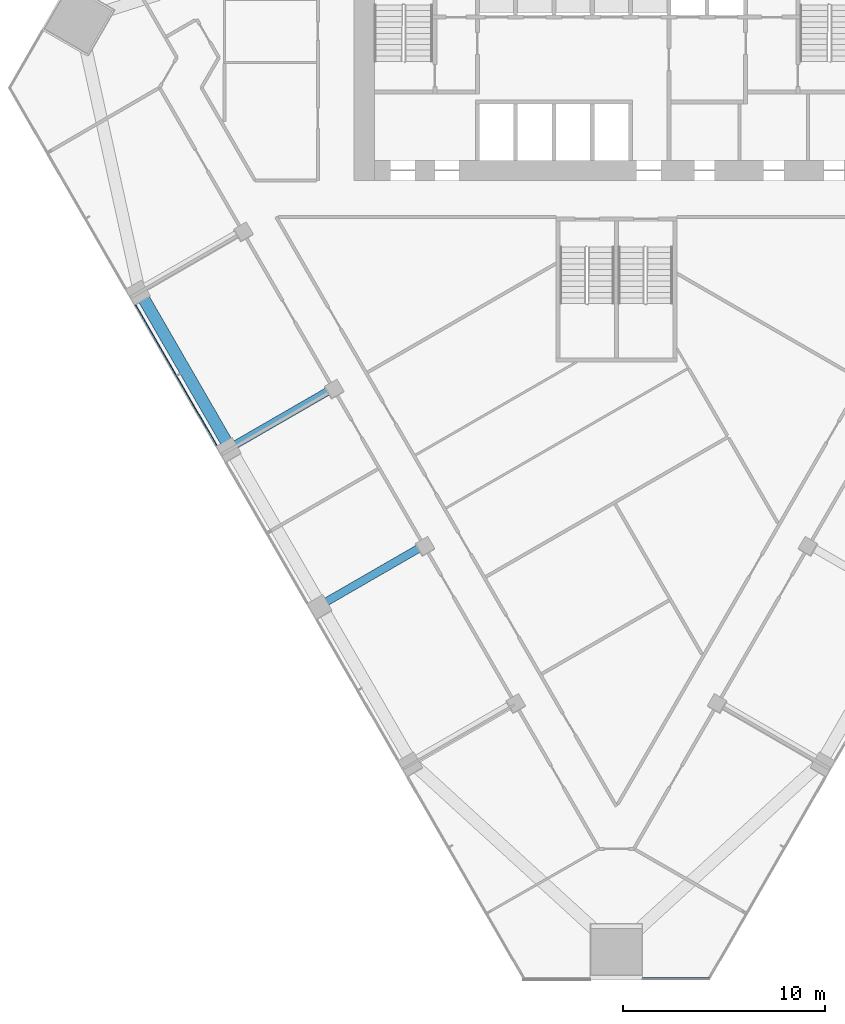
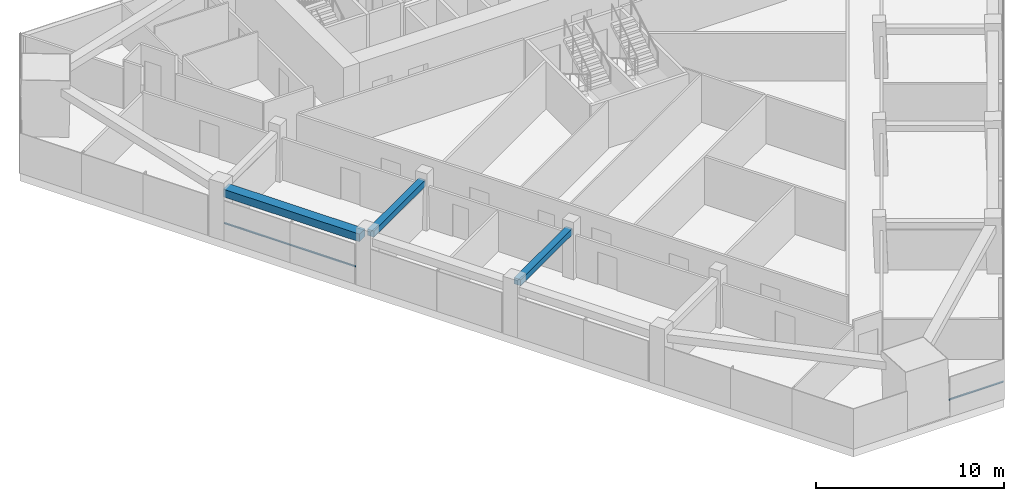
# One storey, part 3 of 14: 3 beams, 2 members, 2 elements without a shape of their own.
"""IFC4 building model written with IfcOpenShell, lengths in metres."""

from ifc_helpers import new_model, si_unit, direction, frame, origin, origin_2d, place, context, subcontext, project, spatial, rectangle, extrude, material, layer, layer_set, material_profile, profile_set, type_object, element, aggregate, save


model = new_model("IFC4")

# Units and contexts
model_context = context("Model", 3, precision=1e-05, world=origin(), true_north=direction((0.0, 1.0)))
body_context = subcontext(model_context, "Body", "Model", "MODEL_VIEW")
ifc_project = project(units=[si_unit("LENGTHUNIT", "METRE"), si_unit("AREAUNIT", "SQUARE_METRE"), si_unit("VOLUMEUNIT", "CUBIC_METRE"), si_unit("PLANEANGLEUNIT", "RADIAN"), si_unit("MASSUNIT", "GRAM", prefix="KILO")], contexts=[model_context])

# Site, building, storey
site_placement = place(None, origin())
site = spatial("IfcSite", under=ifc_project, at=site_placement, CompositionType="ELEMENT")
building_placement = place(site_placement, origin())
building = spatial("IfcBuilding", under=site, at=building_placement, Name="Altiplano Prism Tower", CompositionType="ELEMENT")
storey_placement = place(building_placement, frame((0.0, 0.0, 63.0)))
storey = spatial("IfcBuildingStorey", under=building, at=storey_placement, Name="L15", CompositionType="ELEMENT", Elevation=63.0)

# Curtain wall, member
ifc_material_1 = material(Name="Aluminium and glass", Category="aluminium")
ifc_layer = layer(ifc_material_1, 0.303955078125)
ifc_layer_set = layer_set([ifc_layer], Name="Aluminium and glass")
curtain_wall_type = type_object("IfcCurtainWallType", Name="CW2 lounge-band unitised glazing", PredefinedType="NOTDEFINED", material=ifc_layer_set)
curtain_wall_1_placement = place(storey_placement, origin())
curtain_wall_1 = element("IfcCurtainWall", 1, at=curtain_wall_1_placement, inside=storey, type_object=curtain_wall_type, Name="CW2 curtain wall south-west face L15", PredefinedType="NOTDEFINED")
ifc_material_2 = material(Name="Aluminium", Category="aluminium")
ifc_material_profile_1 = material_profile(ifc_material_2, rectangle(XDim=0.06005859375, YDim=0.080078125, at=origin_2d()), Name="CW2 transom 80 x 60")
ifc_profile_set_1 = profile_set([ifc_material_profile_1], Name="Aluminium")
member_type = type_object("IfcMemberType", Name="CW2 transom 80 x 60", PredefinedType="USERDEFINED", material=ifc_profile_set_1)
member_1_placement = place(storey_placement, frame((61.15283203125, 86.223388671875, 1.10009765625), z_axis=(0.499989486807, -0.866031473494, 0.0), x_axis=(0.866031473494, 0.499989486807, 0.0)))
member_1 = element("IfcMember", 2, at=member_1_placement, type_object=member_type, Name="CW2 transom", ObjectType="TRANSOM", PredefinedType="USERDEFINED", context=body_context, shape_type="SweptSolid", body=[
    extrude(rectangle(XDim=0.06005859375, YDim=0.080078125, at=origin_2d()), origin(), (0.0, 0.0, 1.0), 8.019775390625),
])
aggregate(curtain_wall_1, [member_1])

curtain_wall_2_placement = place(storey_placement, origin())
curtain_wall_2 = element("IfcCurtainWall", 3, at=curtain_wall_2_placement, inside=storey, type_object=curtain_wall_type, Name="CW2 curtain wall south chamfer L15", PredefinedType="NOTDEFINED")
member_2_placement = place(storey_placement, frame((86.300048828125, 52.838623046875, 1.10009765625), z_axis=(1.0, 0.0, 0.0), x_axis=(0.0, 1.0, 0.0)))
member_2 = element("IfcMember", 4, at=member_2_placement, type_object=member_type, Name="CW2 transom", ObjectType="TRANSOM", PredefinedType="USERDEFINED", context=body_context, shape_type="SweptSolid", body=[
    extrude(rectangle(XDim=0.06005859375, YDim=0.080078125, at=origin_2d()), origin(), (0.0, 0.0, 1.0), 3.315185546875),
])
aggregate(curtain_wall_2, [member_2])

# Beams
ifc_material_3 = material(Name="Concrete C60/75", Category="concrete")
ifc_material_profile_2 = material_profile(ifc_material_3, rectangle(XDim=0.60009765625, YDim=0.5, at=origin_2d()), Name="Edge beam 600x500")
ifc_profile_set_2 = profile_set([ifc_material_profile_2], Name="Concrete C60/75")
beam_type_1 = type_object("IfcBeamType", Name="Edge beam 600x500", PredefinedType="SPANDREL", material=ifc_profile_set_2)
beam_placement = place(storey_placement, frame((61.498046875, 86.654541015625, 2.85009765625), z_axis=(0.499992746786, -0.866029591389, 0.0), x_axis=(0.866029591389, 0.499992746786, 0.0)))
element("IfcBeam", 5, at=beam_placement, inside=storey, type_object=beam_type_1, Name="Edge beam P11-P12 L16", PredefinedType="SPANDREL", context=body_context, shape_type="SweptSolid", body=[
    extrude(rectangle(XDim=0.60009765625, YDim=0.5, at=origin_2d()), origin(), (0.0, 0.0, 1.0), 8.33984375),
])
ifc_material_profile_3 = material_profile(ifc_material_3, rectangle(XDim=0.39990234375, YDim=0.39990234375, at=origin_2d()), Name="Tie beam 400x400")
ifc_profile_set_3 = profile_set([ifc_material_profile_3], Name="Concrete C60/75")
beam_type_2 = type_object("IfcBeamType", Name="Tie beam 400x400", PredefinedType="BEAM", material=ifc_profile_set_3)
for number, where, z_axis, x_axis, name in (
    (6, (70.873291015625, 82.05615234375, 2.89990234375), (-0.866012292785, -0.50002270823, 0.0), (0.50002270823, -0.866012292785, 0.0), "Tie beam I12 L16"),
    (7, (75.373291015625, 74.261962890625, 2.89990234375), (-0.866012292785, -0.50002270823, 0.0), (0.50002270823, -0.866012292785, 0.0), "Tie beam I13 L16"),
):
    element("IfcBeam", number, at=place(storey_placement, frame(where, z_axis=z_axis, x_axis=x_axis)), inside=storey, type_object=beam_type_2, Name=name, PredefinedType="BEAM", context=body_context, shape_type="SweptSolid", body=[
        extrude(rectangle(XDim=0.39990234375, YDim=0.39990234375, at=origin_2d()), origin(), (0.0, 0.0, 1.0), 5.489990234375),
    ])

save(model, "model.ifc")
